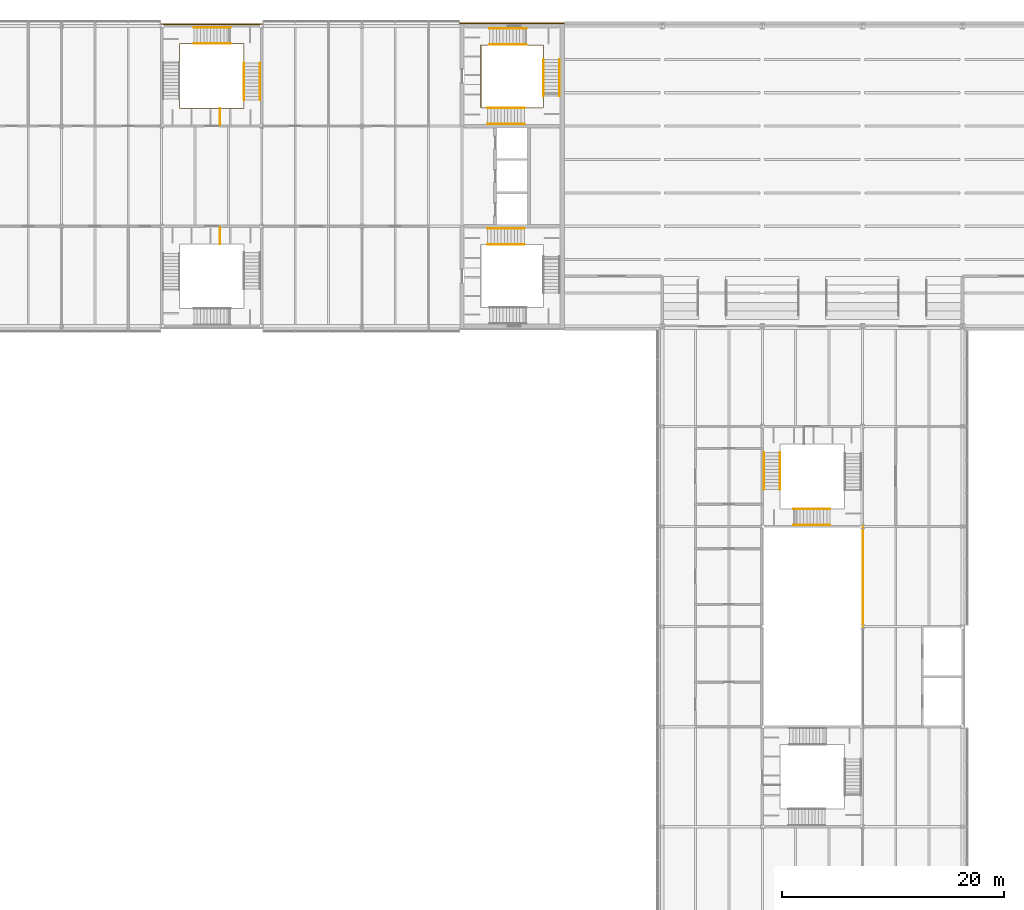
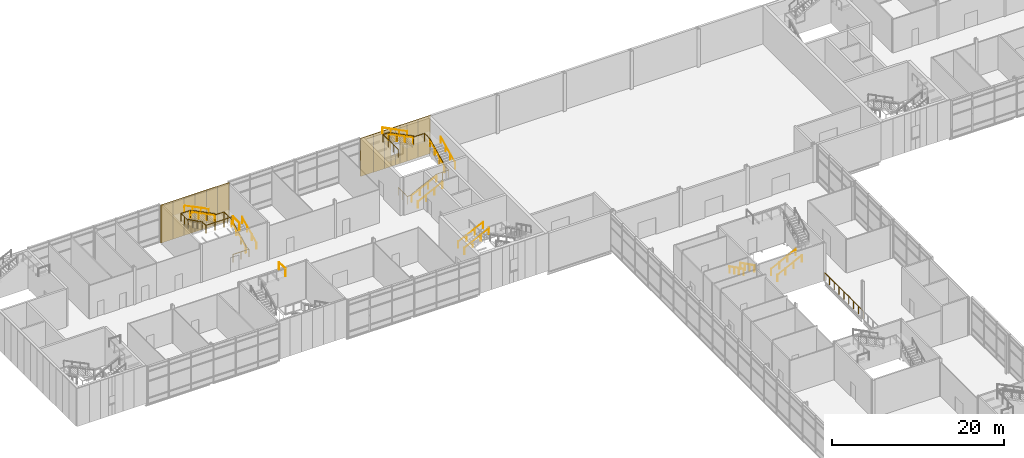
# One storey, part 48 of 52: 21 railings, 16 coverings.
"""IFC4 building model written with IfcOpenShell, lengths in metres."""

import ifcopenshell
import ifcopenshell.guid

model = None  # the IFC model being written
_history = None  # IfcOwnerHistory: only IFC2X3 demands one
_inside = {}  # id of a spatial element -> (the spatial element, [elements in it])
_under = {}  # id of a project, library or spatial element -> (it, [spatial elements below it])
_declared = {}  # id of a project -> (the project, [libraries it declares])
_typed = {}  # id of a type object -> (the type object, [elements of that type])
_made_of = {}  # id of a material, layer set ... -> (it, [elements and type objects made of it])


def new_model(schema):
    """Start an empty IFC model of exactly this schema.

    Asked for "IFC4X3", IfcOpenShell would pick the latest addendum, in which some entities
    have other attributes; the version numbers below select the first issue.
    IFC2X3 requires an IfcOwnerHistory on every rooted entity: one is made here for all.
    """
    global model, _history
    if schema == "IFC4X3":
        model = ifcopenshell.file(schema_version=(4, 3, 0, 0))
    else:
        model = ifcopenshell.file(schema=schema)
    _inside.clear()
    _under.clear()
    _declared.clear()
    _typed.clear()
    _made_of.clear()
    _history = None
    if model.schema == "IFC2X3":
        org = make("IfcOrganization", Name="unknown")
        user = make(
            "IfcPersonAndOrganization",
            ThePerson=make("IfcPerson", FamilyName="unknown"),
            TheOrganization=org,
        )
        app = make(
            "IfcApplication",
            ApplicationDeveloper=org,
            Version="unknown",
            ApplicationFullName="unknown",
            ApplicationIdentifier="unknown",
        )
        _history = make(
            "IfcOwnerHistory",
            OwningUser=user,
            OwningApplication=app,
            ChangeAction="ADDED",
            CreationDate=0,
        )
    return model


def make(cls, **values):
    """One entity of the class cls with the attributes given. An attribute that is None is left unset."""
    return model.create_entity(
        cls, **{name: value for name, value in values.items() if value is not None}
    )


def rooted(cls, **values):
    """An entity with a GlobalId (a new one), such as an element, a storey or a relation."""
    return make(cls, GlobalId=ifcopenshell.guid.new(), OwnerHistory=_history, **values)


def si_unit(unit_type, name, prefix=None):
    """IfcSIUnit, for example si_unit("LENGTHUNIT", "METRE", prefix="MILLI")."""
    return make("IfcSIUnit", UnitType=unit_type, Prefix=prefix, Name=name)


def assignment(units):
    """IfcUnitAssignment: the units of a project."""
    return None if units is None else make("IfcUnitAssignment", Units=units)


def point(xyz):
    """IfcCartesianPoint."""
    return None if xyz is None else make("IfcCartesianPoint", Coordinates=xyz)


def direction(xyz):
    """IfcDirection."""
    return None if xyz is None else make("IfcDirection", DirectionRatios=xyz)


def frame(location, z_axis=None, x_axis=None):
    """IfcAxis2Placement3D, a coordinate frame: its origin and axes. An axis left out is left unset."""
    return make(
        "IfcAxis2Placement3D",
        Location=point(location),
        Axis=direction(z_axis),
        RefDirection=direction(x_axis),
    )


def frame_2d(location, x_axis=None):
    """IfcAxis2Placement2D, a coordinate frame in the plane: its origin and x axis."""
    return make(
        "IfcAxis2Placement2D", Location=point(location), RefDirection=direction(x_axis)
    )


def origin():
    """The frame at (0, 0, 0) with its axes left unset."""
    return frame((0.0, 0.0, 0.0))


def origin_2d():
    """The frame at (0, 0) in the plane with its x axis left unset."""
    return frame_2d((0.0, 0.0))


def place(relative_to, where):
    """IfcLocalPlacement: puts the frame where relative to a parent placement (None: the world)."""
    return make(
        "IfcLocalPlacement", PlacementRelTo=relative_to, RelativePlacement=where
    )


def context(
    kind, dimensions, precision=None, world=None, true_north=None, identifier=None
):
    """IfcGeometricRepresentationContext, for example the 3D "Model" context."""
    return make(
        "IfcGeometricRepresentationContext",
        ContextIdentifier=identifier,
        ContextType=kind,
        CoordinateSpaceDimension=dimensions,
        Precision=precision,
        WorldCoordinateSystem=world,
        TrueNorth=true_north,
    )


def subcontext(parent, identifier, kind, view, scale=None):
    """IfcGeometricRepresentationSubContext, for example "Body" below "Model"."""
    return make(
        "IfcGeometricRepresentationSubContext",
        ContextIdentifier=identifier,
        ContextType=kind,
        ParentContext=parent,
        TargetScale=scale,
        TargetView=view,
    )


def project(units=None, contexts=None):
    """IfcProject with its units and contexts."""
    return rooted(
        "IfcProject",
        Name="project",
        RepresentationContexts=contexts,
        UnitsInContext=assignment(units),
    )


def spatial(cls, under=None, at=None, **own):
    """A site, building, storey or space (cls), placed at a placement, below another one or the project."""
    s = rooted(cls, ObjectPlacement=at, **own)
    if under is not None:
        _under.setdefault(under.id(), (under, []))[1].append(s)
    return s


def profile(cls, at=None, kind="AREA", **sizes):
    """A parametric profile (cls). Its sizes go by their IFC names, for example OverallWidth=200.0."""
    return make(cls, ProfileType=kind, Position=at, **sizes)


def rectangle(**sizes):
    """IfcRectangleProfileDef."""
    return profile("IfcRectangleProfileDef", **sizes)


def circle(**sizes):
    """IfcCircleProfileDef."""
    return profile("IfcCircleProfileDef", **sizes)


def extrude(swept, where, along, depth):
    """IfcExtrudedAreaSolid: the profile swept, set in the frame where, extruded along a direction by depth."""
    return make(
        "IfcExtrudedAreaSolid",
        SweptArea=swept,
        Position=where,
        ExtrudedDirection=direction(along),
        Depth=depth,
    )


def shape(context_of_items, identifier, shape_type, items):
    """IfcShapeRepresentation: the items that make up one representation, for example the "Body"."""
    return make(
        "IfcShapeRepresentation",
        ContextOfItems=context_of_items,
        RepresentationIdentifier=identifier,
        RepresentationType=shape_type,
        Items=items,
    )


def material(Name=None, Category=None):
    """IfcMaterial."""
    return make("IfcMaterial", Name=Name, Category=Category)


def layer(
    of_material, thickness, ventilated=None, Name=None, Category=None, Priority=None
):
    """IfcMaterialLayer: one layer of a wall or slab, of a material (None: an air gap)."""
    return make(
        "IfcMaterialLayer",
        Material=of_material,
        LayerThickness=thickness,
        IsVentilated=ventilated,
        Name=Name,
        Category=Category,
        Priority=Priority,
    )


def layer_set(layers, Name=None):
    """IfcMaterialLayerSet."""
    return make("IfcMaterialLayerSet", MaterialLayers=layers, LayerSetName=Name)


def made_of(thing, what):
    """Note that an element or type object is made of a material, layer set ...; save() writes the relation."""
    if what is not None:
        _made_of.setdefault(what.id(), (what, []))[1].append(thing)
    return thing


def type_object(cls, material=None, **own):
    """A type object (cls), such as IfcWallType, which elements share."""
    return made_of(rooted(cls, **own), material)


def element(
    cls,
    number,
    at=None,
    inside=None,
    cuts=None,
    type_object=None,
    material=None,
    context=None,
    identifier="Body",
    shape_type=None,
    held_by="IfcProductDefinitionShape",
    body=None,
    shapes=None,
    **own,
):
    """One element of the class cls, such as IfcWall. Its Tag is "e" and its number.

    at: its placement. inside: the storey or other place that contains it. cuts: it is an
    opening in that element (IfcRelVoidsElement). A single representation is given by context,
    identifier, shape_type and body (its items); several are given by shapes. held_by: the class
    of the entity that holds the representations. save() writes the other relations.
    """
    e = rooted(cls, Tag="e%d" % number, ObjectPlacement=at, **own)
    if body is not None:
        shapes = [shape(context, identifier, shape_type, body)]
    if shapes is not None:
        e.Representation = make(held_by, Representations=shapes)
    if inside is not None:
        _inside.setdefault(inside.id(), (inside, []))[1].append(e)
    if cuts is not None:
        rooted(
            "IfcRelVoidsElement", RelatingBuildingElement=cuts, RelatedOpeningElement=e
        )
    if type_object is not None:
        _typed.setdefault(type_object.id(), (type_object, []))[1].append(e)
    return made_of(e, material)


def aggregate(whole, parts):
    """IfcRelAggregates: a whole, such as a stair, and the parts it consists of."""
    return rooted("IfcRelAggregates", RelatingObject=whole, RelatedObjects=parts)


def save(model, path):
    """Write the relations noted so far, then the file.

    IfcRelAggregates (storeys below a building ...), IfcRelContainedInSpatialStructure (elements
    in a storey), IfcRelDefinesByType, IfcRelAssociatesMaterial and IfcRelDeclares: one each for
    every whole, place, type object, material and project.
    """
    for whole, parts in _under.values():
        aggregate(whole, parts)
    for where, things in _inside.values():
        rooted(
            "IfcRelContainedInSpatialStructure",
            RelatedElements=things,
            RelatingStructure=where,
        )
    for kind, things in _typed.values():
        rooted("IfcRelDefinesByType", RelatedObjects=things, RelatingType=kind)
    for what, things in _made_of.values():
        rooted("IfcRelAssociatesMaterial", RelatedObjects=things, RelatingMaterial=what)
    for by, libraries in _declared.values():
        rooted("IfcRelDeclares", RelatingContext=by, RelatedDefinitions=libraries)
    model.write(path)


model = new_model("IFC4")

# Units and contexts
model_context = context("Model", 3, precision=1e-05, world=origin(), true_north=direction((0.0, 1.0)))
body_context = subcontext(model_context, "Body", "Model", "MODEL_VIEW")
ifc_project = project(units=[si_unit("LENGTHUNIT", "METRE"), si_unit("AREAUNIT", "SQUARE_METRE"), si_unit("VOLUMEUNIT", "CUBIC_METRE"), si_unit("PLANEANGLEUNIT", "RADIAN"), si_unit("MASSUNIT", "GRAM", prefix="KILO")], contexts=[model_context])

# Site, building, storey
site_placement = place(None, origin())
site = spatial("IfcSite", under=ifc_project, at=site_placement, CompositionType="ELEMENT")
building_placement = place(site_placement, origin())
building = spatial("IfcBuilding", under=site, at=building_placement, Name="Azimuth Sports and Learning Centre", CompositionType="ELEMENT")
storey_placement = place(building_placement, frame((0.0, 0.0, 16.199951171875)))
storey = spatial("IfcBuildingStorey", under=building, at=storey_placement, Name="L03", CompositionType="ELEMENT", Elevation=16.199951171875)

# Coverings
ifc_material_1 = material(Name="Cladding panel")
ifc_layer = layer(ifc_material_1, 0.10009765625)
ifc_layer_set = layer_set([ifc_layer], Name="Cladding panel")
covering_type = type_object("IfcCoveringType", Name="Cladding panel 100", PredefinedType="CLADDING", material=ifc_layer_set)
covering_1_placement = place(storey_placement, frame((62.35009765625, 117.25, 0.0), z_axis=(0.0, 0.0, 1.0), x_axis=(-1.0, 0.0, 0.0)))
element("IfcCovering", 1, at=covering_1_placement, inside=storey, type_object=covering_type, Name="Cladding panel N-CORE W L03 1", PredefinedType="CLADDING", context=body_context, shape_type="SweptSolid", body=[
    extrude(rectangle(XDim=1.699951171875, YDim=0.10009765625, at=origin_2d()), origin(), (0.0, 0.0, 1.0), 5.39990234375),
])
covering_2_placement = place(storey_placement, frame((60.75, 117.25, 0.0), z_axis=(0.0, 0.0, 1.0), x_axis=(-1.0, 0.0, 0.0)))
element("IfcCovering", 2, at=covering_2_placement, inside=storey, type_object=covering_type, Name="Cladding panel N-CORE W L03 2", PredefinedType="CLADDING", context=body_context, shape_type="SweptSolid", body=[
    extrude(rectangle(XDim=1.5, YDim=0.10009765625, at=origin_2d()), origin(), (0.0, 0.0, 1.0), 5.39990234375),
])
covering_3_placement = place(storey_placement, frame((59.550048828125, 117.25, 0.0), z_axis=(0.0, 0.0, 1.0), x_axis=(-1.0, 0.0, 0.0)))
element("IfcCovering", 3, at=covering_3_placement, inside=storey, type_object=covering_type, Name="Cladding panel N-CORE W L03 3", PredefinedType="CLADDING", context=body_context, shape_type="SweptSolid", body=[
    extrude(rectangle(XDim=0.89990234375, YDim=0.10009765625, at=origin_2d()), origin(), (0.0, 0.0, 1.0), 5.39990234375),
])
covering_4_placement = place(storey_placement, frame((58.800048828125, 117.25, 0.0), z_axis=(0.0, 0.0, 1.0), x_axis=(-1.0, 0.0, 0.0)))
element("IfcCovering", 4, at=covering_4_placement, inside=storey, type_object=covering_type, Name="Cladding panel N-CORE W L03 4", PredefinedType="CLADDING", context=body_context, shape_type="SweptSolid", body=[
    extrude(rectangle(XDim=0.60009765625, YDim=0.10009765625, at=origin_2d()), origin(), (0.0, 0.0, 1.0), 1.5),
])
covering_5_placement = place(storey_placement, frame((58.800048828125, 117.25, 3.300048828125), z_axis=(0.0, 0.0, 1.0), x_axis=(-1.0, 0.0, 0.0)))
element("IfcCovering", 5, at=covering_5_placement, inside=storey, type_object=covering_type, Name="Cladding panel N-CORE W L03 5", PredefinedType="CLADDING", context=body_context, shape_type="SweptSolid", body=[
    extrude(rectangle(XDim=0.60009765625, YDim=0.10009765625, at=origin_2d()), origin(), (0.0, 0.0, 1.0), 2.10009765625),
])
covering_6_placement = place(storey_placement, frame((57.449951171875, 117.25, 0.0), z_axis=(0.0, 0.0, 1.0), x_axis=(-1.0, 0.0, 0.0)))
element("IfcCovering", 6, at=covering_6_placement, inside=storey, type_object=covering_type, Name="Cladding panel N-CORE W L03 6", PredefinedType="CLADDING", context=body_context, shape_type="SweptSolid", body=[
    extrude(rectangle(XDim=0.89990234375, YDim=0.10009765625, at=origin_2d()), origin(), (0.0, 0.0, 1.0), 5.39990234375),
])
covering_7_placement = place(storey_placement, frame((58.199951171875, 117.25, 0.0), z_axis=(0.0, 0.0, 1.0), x_axis=(-1.0, 0.0, 0.0)))
element("IfcCovering", 7, at=covering_7_placement, inside=storey, type_object=covering_type, Name="Cladding panel N-CORE W L03 7", PredefinedType="CLADDING", context=body_context, shape_type="SweptSolid", body=[
    extrude(rectangle(XDim=0.60009765625, YDim=0.10009765625, at=origin_2d()), origin(), (0.0, 0.0, 1.0), 1.5),
])
covering_8_placement = place(storey_placement, frame((58.199951171875, 117.25, 3.300048828125), z_axis=(0.0, 0.0, 1.0), x_axis=(-1.0, 0.0, 0.0)))
element("IfcCovering", 8, at=covering_8_placement, inside=storey, type_object=covering_type, Name="Cladding panel N-CORE W L03 8", PredefinedType="CLADDING", context=body_context, shape_type="SweptSolid", body=[
    extrude(rectangle(XDim=0.60009765625, YDim=0.10009765625, at=origin_2d()), origin(), (0.0, 0.0, 1.0), 2.10009765625),
])
covering_9_placement = place(storey_placement, frame((56.25, 117.25, 0.0), z_axis=(0.0, 0.0, 1.0), x_axis=(-1.0, 0.0, 0.0)))
element("IfcCovering", 9, at=covering_9_placement, inside=storey, type_object=covering_type, Name="Cladding panel N-CORE W L03 9", PredefinedType="CLADDING", context=body_context, shape_type="SweptSolid", body=[
    extrude(rectangle(XDim=1.5, YDim=0.10009765625, at=origin_2d()), origin(), (0.0, 0.0, 1.0), 5.39990234375),
])
covering_10_placement = place(storey_placement, frame((54.64990234375, 117.25, 0.0), z_axis=(0.0, 0.0, 1.0), x_axis=(-1.0, 0.0, 0.0)))
element("IfcCovering", 10, at=covering_10_placement, inside=storey, type_object=covering_type, Name="Cladding panel N-CORE W L03 10", PredefinedType="CLADDING", context=body_context, shape_type="SweptSolid", body=[
    extrude(rectangle(XDim=1.699951171875, YDim=0.10009765625, at=origin_2d()), origin(), (0.0, 0.0, 1.0), 5.39990234375),
])
covering_11_placement = place(storey_placement, frame((35.300048828125, 117.14990234375, 0.0), z_axis=(0.0, 0.0, 1.0), x_axis=(-1.0, 0.0, 0.0)))
element("IfcCovering", 11, at=covering_11_placement, inside=storey, type_object=covering_type, Name="Cladding panel N-WM2 L03 1", PredefinedType="CLADDING", context=body_context, shape_type="SweptSolid", body=[
    extrude(rectangle(XDim=1.60009765625, YDim=0.10009765625, at=origin_2d()), origin(), (0.0, 0.0, 1.0), 5.39990234375),
])
for number, where, z_axis, x_axis, name in (
    (12, (33.75, 117.14990234375, 0.0), (0.0, 0.0, 1.0), (-1.0, 0.0, 0.0), "Cladding panel N-WM2 L03 2"),
    (13, (32.25, 117.14990234375, 0.0), (0.0, 0.0, 1.0), (-1.0, 0.0, 0.0), "Cladding panel N-WM2 L03 3"),
    (14, (30.75, 117.14990234375, 0.0), (0.0, 0.0, 1.0), (-1.0, 0.0, 0.0), "Cladding panel N-WM2 L03 4"),
    (15, (29.25, 117.14990234375, 0.0), (0.0, 0.0, 1.0), (-1.0, 0.0, 0.0), "Cladding panel N-WM2 L03 5"),
):
    element("IfcCovering", number, at=place(storey_placement, frame(where, z_axis=z_axis, x_axis=x_axis)), inside=storey, type_object=covering_type, Name=name, PredefinedType="CLADDING", context=body_context, shape_type="SweptSolid", body=[
        extrude(rectangle(XDim=1.5, YDim=0.10009765625, at=origin_2d()), origin(), (0.0, 0.0, 1.0), 5.39990234375),
    ])
covering_12_placement = place(storey_placement, frame((27.699951171875, 117.14990234375, 0.0), z_axis=(0.0, 0.0, 1.0), x_axis=(-1.0, 0.0, 0.0)))
element("IfcCovering", 16, at=covering_12_placement, inside=storey, type_object=covering_type, Name="Cladding panel N-WM2 L03 6", PredefinedType="CLADDING", context=body_context, shape_type="SweptSolid", body=[
    extrude(rectangle(XDim=1.60009765625, YDim=0.10009765625, at=origin_2d()), origin(), (0.0, 0.0, 1.0), 5.39990234375),
])

# Railings
ifc_material_2 = material(Name="Steel balustrade", Category="steel")
railing_type_1 = type_object("IfcRailingType", Name="Guard 1100", PredefinedType="GUARDRAIL", material=ifc_material_2)
railing_1_placement = place(storey_placement, frame((90.070068359375, 63.0, 0.0)))
element("IfcRailing", 17, at=railing_1_placement, inside=storey, type_object=railing_type_1, Name="Atrium guard", PredefinedType="GUARDRAIL", context=body_context, shape_type="SweptSolid", body=[
    extrude(circle(Radius=0.02392578125, at=origin_2d()), frame((0.0, 0.0, 1.076171875), z_axis=(0.0, 1.0, 0.0), x_axis=(-1.0, 0.0, 0.0)), (0.0, 0.0, 1.0), 9.0),
    extrude(circle(Radius=0.02099609375, at=origin_2d()), origin(), (0.0, 0.0, 1.0), 1.052001953125),
    extrude(circle(Radius=0.02099609375, at=origin_2d()), frame((0.0, 1.125, 0.0)), (0.0, 0.0, 1.0), 1.052001953125),
    extrude(circle(Radius=0.02099609375, at=origin_2d()), frame((0.0, 2.25, 0.0)), (0.0, 0.0, 1.0), 1.052001953125),
    extrude(circle(Radius=0.02099609375, at=origin_2d()), frame((0.0, 3.375, 0.0)), (0.0, 0.0, 1.0), 1.052001953125),
    extrude(circle(Radius=0.02099609375, at=origin_2d()), frame((0.0, 4.5, 0.0)), (0.0, 0.0, 1.0), 1.052001953125),
    extrude(circle(Radius=0.02099609375, at=origin_2d()), frame((0.0, 5.625, 0.0)), (0.0, 0.0, 1.0), 1.052001953125),
    extrude(circle(Radius=0.02099609375, at=origin_2d()), frame((0.0, 6.75, 0.0)), (0.0, 0.0, 1.0), 1.052001953125),
    extrude(circle(Radius=0.02099609375, at=origin_2d()), frame((0.0, 7.875, 0.0)), (0.0, 0.0, 1.0), 1.052001953125),
    extrude(circle(Radius=0.02099609375, at=origin_2d()), frame((0.0, 9.0, 0.0)), (0.0, 0.0, 1.0), 1.052001953125),
])
ifc_material_3 = material(Name="Stainless steel", Category="steel")
railing_type_2 = type_object("IfcRailingType", Name="Stair guard 1100", PredefinedType="GUARDRAIL", material=ifc_material_3)
railing_2_placement = place(storey_placement, frame((55.7099609375, 111.75, 0.0)))
element("IfcRailing", 18, at=railing_2_placement, inside=storey, type_object=railing_type_2, Name="Guard W2 L03 well", PredefinedType="GUARDRAIL", context=body_context, shape_type="SweptSolid", body=[
    extrude(circle(Radius=0.02392578125, at=origin_2d()), frame((0.0, 0.0, 1.076171875), z_axis=(0.0, -1.0, 0.0), x_axis=(1.0, 0.0, 0.0)), (0.0, 0.0, 1.0), 2.090087890625),
    extrude(circle(Radius=0.02392578125, at=origin_2d()), frame((0.0, -2.090087890625, 1.076171875), z_axis=(1.0, 0.0, 0.0), x_axis=(0.0, 1.0, 0.0)), (0.0, 0.0, 1.0), 0.60009765625),
    extrude(circle(Radius=0.02392578125, at=origin_2d()), frame((0.60009765625, -2.090087890625, 1.076171875), z_axis=(0.0, 0.0, 1.0), x_axis=(1.0, 0.0, 0.0)), (0.0, 0.0, 1.0), 0.150146484375),
    extrude(circle(Radius=0.02392578125, at=origin_2d()), frame((0.60009765625, -2.090087890625, 1.22607421875), z_axis=(0.894440424912, 0.0, 0.447187126696), x_axis=(0.0, 1.0, 0.0)), (0.0, 0.0, 1.0), 3.689453125),
    extrude(circle(Radius=0.02392578125, at=origin_2d()), frame((3.900146484375, -2.090087890625, 2.8759765625), z_axis=(1.0, 0.0, 0.0), x_axis=(0.0, 1.0, 0.0)), (0.0, 0.0, 1.0), 1.679931640625),
    extrude(circle(Radius=0.02392578125, at=origin_2d()), frame((5.580078125, -2.090087890625, 2.8759765625), z_axis=(0.0, 1.0, 0.0), x_axis=(-1.0, 0.0, 0.0)), (0.0, 0.0, 1.0), 1.050048828125),
    extrude(circle(Radius=0.02392578125, at=origin_2d()), frame((5.580078125, -1.0400390625, 2.8759765625), z_axis=(0.0, 0.0, 1.0), x_axis=(1.0, 0.0, 0.0)), (0.0, 0.0, 1.0), 0.14990234375),
    extrude(circle(Radius=0.02392578125, at=origin_2d()), frame((5.580078125, -1.0400390625, 3.02587890625), z_axis=(0.0, 0.894413956696, 0.447240063129), x_axis=(-1.0, 0.0, 0.0)), (0.0, 0.0, 1.0), 3.689697265625),
    extrude(circle(Radius=0.02392578125, at=origin_2d()), frame((5.580078125, 2.260009765625, 4.67626953125), z_axis=(0.0, 1.0, 0.0), x_axis=(-1.0, 0.0, 0.0)), (0.0, 0.0, 1.0), 1.280029296875),
    extrude(circle(Radius=0.02392578125, at=origin_2d()), frame((5.580078125, 3.5400390625, 4.67626953125), z_axis=(-1.0, 0.0, 0.0), x_axis=(0.0, -1.0, 0.0)), (0.0, 0.0, 1.0), 1.5),
    extrude(circle(Radius=0.02392578125, at=origin_2d()), frame((4.080078125, 3.5400390625, 4.67626953125), z_axis=(0.0, 0.0, 1.0), x_axis=(1.0, 0.0, 0.0)), (0.0, 0.0, 1.0), 0.14990234375),
    extrude(circle(Radius=0.02392578125, at=origin_2d()), frame((4.080078125, 3.5400390625, 4.826171875), z_axis=(-0.894413956696, 0.0, 0.447240063129), x_axis=(0.0, -1.0, 0.0)), (0.0, 0.0, 1.0), 3.689697265625),
    extrude(circle(Radius=0.02392578125, at=origin_2d()), frame((0.780029296875, 3.5400390625, 6.47607421875), z_axis=(-1.0, 0.0, 0.0), x_axis=(0.0, -1.0, 0.0)), (0.0, 0.0, 1.0), 0.780029296875),
    extrude(circle(Radius=0.02392578125, at=origin_2d()), frame((0.0, 3.5400390625, 6.47607421875), z_axis=(0.0, -1.0, 0.0), x_axis=(1.0, 0.0, 0.0)), (0.0, 0.0, 1.0), 3.5400390625),
    extrude(circle(Radius=0.01611328125, at=origin_2d()), origin(), (0.0, 0.0, 1.0), 1.052001953125),
    extrude(circle(Radius=0.01611328125, at=origin_2d()), frame((0.0, -1.044921875, 0.0)), (0.0, 0.0, 1.0), 1.052001953125),
    extrude(circle(Radius=0.01611328125, at=origin_2d()), frame((0.0, -2.090087890625, 0.0)), (0.0, 0.0, 1.0), 1.052001953125),
    extrude(circle(Radius=0.01611328125, at=origin_2d()), frame((0.60009765625, -2.090087890625, 0.0)), (0.0, 0.0, 1.0), 1.052001953125),
    extrude(circle(Radius=0.01611328125, at=origin_2d()), frame((0.60009765625, -2.090087890625, 0.150146484375)), (0.0, 0.0, 1.0), 1.052001953125),
    extrude(circle(Radius=0.01611328125, at=origin_2d()), frame((1.7001953125, -2.090087890625, 0.7001953125)), (0.0, 0.0, 1.0), 1.052001953125),
    extrude(circle(Radius=0.01611328125, at=origin_2d()), frame((2.800048828125, -2.090087890625, 1.25)), (0.0, 0.0, 1.0), 1.052001953125),
    extrude(circle(Radius=0.01611328125, at=origin_2d()), frame((3.900146484375, -2.090087890625, 1.800048828125)), (0.0, 0.0, 1.0), 1.052001953125),
    extrude(circle(Radius=0.01611328125, at=origin_2d()), frame((4.740234375, -2.090087890625, 1.800048828125)), (0.0, 0.0, 1.0), 1.052001953125),
    extrude(circle(Radius=0.01611328125, at=origin_2d()), frame((5.580078125, -2.090087890625, 1.800048828125)), (0.0, 0.0, 1.0), 1.052001953125),
    extrude(circle(Radius=0.01611328125, at=origin_2d()), frame((5.580078125, -1.0400390625, 1.800048828125)), (0.0, 0.0, 1.0), 1.052001953125),
    extrude(circle(Radius=0.01611328125, at=origin_2d()), frame((5.580078125, -1.0400390625, 1.949951171875)), (0.0, 0.0, 1.0), 1.052001953125),
    extrude(circle(Radius=0.01611328125, at=origin_2d()), frame((5.580078125, 0.06005859375, 2.5)), (0.0, 0.0, 1.0), 1.052001953125),
    extrude(circle(Radius=0.01611328125, at=origin_2d()), frame((5.580078125, 1.159912109375, 3.050048828125)), (0.0, 0.0, 1.0), 1.052001953125),
    extrude(circle(Radius=0.01611328125, at=origin_2d()), frame((5.580078125, 2.260009765625, 3.60009765625)), (0.0, 0.0, 1.0), 1.052001953125),
    extrude(circle(Radius=0.01611328125, at=origin_2d()), frame((5.580078125, 3.5400390625, 3.60009765625)), (0.0, 0.0, 1.0), 1.052001953125),
    extrude(circle(Radius=0.01611328125, at=origin_2d()), frame((4.080078125, 3.5400390625, 3.60009765625)), (0.0, 0.0, 1.0), 1.052001953125),
    extrude(circle(Radius=0.01611328125, at=origin_2d()), frame((4.080078125, 3.5400390625, 3.75)), (0.0, 0.0, 1.0), 1.052001953125),
    extrude(circle(Radius=0.01611328125, at=origin_2d()), frame((2.97998046875, 3.5400390625, 4.300048828125)), (0.0, 0.0, 1.0), 1.052001953125),
    extrude(circle(Radius=0.01611328125, at=origin_2d()), frame((1.880126953125, 3.5400390625, 4.85009765625)), (0.0, 0.0, 1.0), 1.052001953125),
    extrude(circle(Radius=0.01611328125, at=origin_2d()), frame((0.780029296875, 3.5400390625, 5.400146484375)), (0.0, 0.0, 1.0), 1.052001953125),
    extrude(circle(Radius=0.01611328125, at=origin_2d()), frame((0.0, 3.5400390625, 5.400146484375)), (0.0, 0.0, 1.0), 1.052001953125),
    extrude(circle(Radius=0.01611328125, at=origin_2d()), frame((0.0, 2.360107421875, 5.400146484375)), (0.0, 0.0, 1.0), 1.052001953125),
    extrude(circle(Radius=0.01611328125, at=origin_2d()), frame((0.0, 1.179931640625, 5.400146484375)), (0.0, 0.0, 1.0), 1.052001953125),
    extrude(circle(Radius=0.01611328125, at=origin_2d()), frame((0.0, 0.0, 5.400146484375)), (0.0, 0.0, 1.0), 1.052001953125),
])
railing_3_placement = place(storey_placement, frame((32.25, 98.889892578125, 5.400146484375)))
element("IfcRailing", 19, at=railing_3_placement, inside=storey, type_object=railing_type_2, Name="Guard WM1 L03 top landing end", PredefinedType="GUARDRAIL", context=body_context, shape_type="SweptSolid", body=[
    extrude(circle(Radius=0.02392578125, at=origin_2d()), frame((0.0, 0.0, 1.076171875), z_axis=(0.0, -1.0, 0.0), x_axis=(1.0, 0.0, 0.0)), (0.0, 0.0, 1.0), 1.5),
    extrude(circle(Radius=0.01611328125, at=origin_2d()), origin(), (0.0, 0.0, 1.0), 1.052001953125),
    extrude(circle(Radius=0.01611328125, at=origin_2d()), frame((0.0, -1.5, 0.0)), (0.0, 0.0, 1.0), 1.052001953125),
])
railing_4_placement = place(storey_placement, frame((32.25, 109.610107421875, 0.0)))
element("IfcRailing", 20, at=railing_4_placement, inside=storey, type_object=railing_type_2, Name="Guard WM2 L03 well", PredefinedType="GUARDRAIL", context=body_context, shape_type="SweptSolid", body=[
    extrude(circle(Radius=0.02392578125, at=origin_2d()), frame((0.0, 0.0, 1.076171875), z_axis=(1.0, 0.0, 0.0), x_axis=(0.0, 1.0, 0.0)), (0.0, 0.0, 1.0), 2.139892578125),
    extrude(circle(Radius=0.02392578125, at=origin_2d()), frame((2.139892578125, 0.0, 1.076171875), z_axis=(0.0, 1.0, 0.0), x_axis=(-1.0, 0.0, 0.0)), (0.0, 0.0, 1.0), 0.75),
    extrude(circle(Radius=0.02392578125, at=origin_2d()), frame((2.139892578125, 0.75, 1.076171875), z_axis=(0.0, 0.0, 1.0), x_axis=(1.0, 0.0, 0.0)), (0.0, 0.0, 1.0), 0.150146484375),
    extrude(circle(Radius=0.02392578125, at=origin_2d()), frame((2.139892578125, 0.75, 1.22607421875), z_axis=(0.0, 0.894427191, 0.4472135955), x_axis=(-1.0, 0.0, 0.0)), (0.0, 0.0, 1.0), 3.689208984375),
    extrude(circle(Radius=0.02392578125, at=origin_2d()), frame((2.139892578125, 4.0498046875, 2.8759765625), z_axis=(0.0, 1.0, 0.0), x_axis=(-1.0, 0.0, 0.0)), (0.0, 0.0, 1.0), 1.72998046875),
    extrude(circle(Radius=0.02392578125, at=origin_2d()), frame((2.139892578125, 5.77978515625, 2.8759765625), z_axis=(-1.0, 0.0, 0.0), x_axis=(0.0, -1.0, 0.0)), (0.0, 0.0, 1.0), 1.199951171875),
    extrude(circle(Radius=0.02392578125, at=origin_2d()), frame((0.93994140625, 5.77978515625, 2.8759765625), z_axis=(0.0, 0.0, 1.0), x_axis=(1.0, 0.0, 0.0)), (0.0, 0.0, 1.0), 0.14990234375),
    extrude(circle(Radius=0.02392578125, at=origin_2d()), frame((0.93994140625, 5.77978515625, 3.02587890625), z_axis=(-0.894413956696, 0.0, 0.447240063129), x_axis=(0.0, -1.0, 0.0)), (0.0, 0.0, 1.0), 3.689697265625),
    extrude(circle(Radius=0.02392578125, at=origin_2d()), frame((-2.360107421875, 5.77978515625, 4.67626953125), z_axis=(-1.0, 0.0, 0.0), x_axis=(0.0, -1.0, 0.0)), (0.0, 0.0, 1.0), 1.27978515625),
    extrude(circle(Radius=0.02392578125, at=origin_2d()), frame((-3.639892578125, 5.77978515625, 4.67626953125), z_axis=(0.0, -1.0, 0.0), x_axis=(1.0, 0.0, 0.0)), (0.0, 0.0, 1.0), 1.64990234375),
    extrude(circle(Radius=0.02392578125, at=origin_2d()), frame((-3.639892578125, 4.1298828125, 4.67626953125), z_axis=(0.0, 0.0, 1.0), x_axis=(1.0, 0.0, 0.0)), (0.0, 0.0, 1.0), 0.14990234375),
    extrude(circle(Radius=0.02392578125, at=origin_2d()), frame((-3.639892578125, 4.1298828125, 4.826171875), z_axis=(0.0, -0.894413956696, 0.447240063129), x_axis=(1.0, 0.0, 0.0)), (0.0, 0.0, 1.0), 3.689697265625),
    extrude(circle(Radius=0.02392578125, at=origin_2d()), frame((-3.639892578125, 0.829833984375, 6.47607421875), z_axis=(0.0, -1.0, 0.0), x_axis=(1.0, 0.0, 0.0)), (0.0, 0.0, 1.0), 0.829833984375),
    extrude(circle(Radius=0.02392578125, at=origin_2d()), frame((-3.639892578125, 0.0, 6.47607421875), z_axis=(1.0, 0.0, 0.0), x_axis=(0.0, 1.0, 0.0)), (0.0, 0.0, 1.0), 3.639892578125),
    extrude(circle(Radius=0.01611328125, at=origin_2d()), origin(), (0.0, 0.0, 1.0), 1.052001953125),
    extrude(circle(Radius=0.01611328125, at=origin_2d()), frame((1.06982421875, 0.0, 0.0)), (0.0, 0.0, 1.0), 1.052001953125),
    extrude(circle(Radius=0.01611328125, at=origin_2d()), frame((2.139892578125, 0.0, 0.0)), (0.0, 0.0, 1.0), 1.052001953125),
    extrude(circle(Radius=0.01611328125, at=origin_2d()), frame((2.139892578125, 0.75, 0.0)), (0.0, 0.0, 1.0), 1.052001953125),
    extrude(circle(Radius=0.01611328125, at=origin_2d()), frame((2.139892578125, 0.75, 0.150146484375)), (0.0, 0.0, 1.0), 1.052001953125),
    extrude(circle(Radius=0.01611328125, at=origin_2d()), frame((2.139892578125, 1.849853515625, 0.7001953125)), (0.0, 0.0, 1.0), 1.052001953125),
    extrude(circle(Radius=0.01611328125, at=origin_2d()), frame((2.139892578125, 2.949951171875, 1.25)), (0.0, 0.0, 1.0), 1.052001953125),
    extrude(circle(Radius=0.01611328125, at=origin_2d()), frame((2.139892578125, 4.0498046875, 1.800048828125)), (0.0, 0.0, 1.0), 1.052001953125),
    extrude(circle(Radius=0.01611328125, at=origin_2d()), frame((2.139892578125, 4.914794921875, 1.800048828125)), (0.0, 0.0, 1.0), 1.052001953125),
    extrude(circle(Radius=0.01611328125, at=origin_2d()), frame((2.139892578125, 5.77978515625, 1.800048828125)), (0.0, 0.0, 1.0), 1.052001953125),
    extrude(circle(Radius=0.01611328125, at=origin_2d()), frame((0.93994140625, 5.77978515625, 1.800048828125)), (0.0, 0.0, 1.0), 1.052001953125),
    extrude(circle(Radius=0.01611328125, at=origin_2d()), frame((0.93994140625, 5.77978515625, 1.949951171875)), (0.0, 0.0, 1.0), 1.052001953125),
    extrude(circle(Radius=0.01611328125, at=origin_2d()), frame((-0.16015625, 5.77978515625, 2.5)), (0.0, 0.0, 1.0), 1.052001953125),
    extrude(circle(Radius=0.01611328125, at=origin_2d()), frame((-1.260009765625, 5.77978515625, 3.050048828125)), (0.0, 0.0, 1.0), 1.052001953125),
    extrude(circle(Radius=0.01611328125, at=origin_2d()), frame((-2.360107421875, 5.77978515625, 3.60009765625)), (0.0, 0.0, 1.0), 1.052001953125),
    extrude(circle(Radius=0.01611328125, at=origin_2d()), frame((-3.639892578125, 5.77978515625, 3.60009765625)), (0.0, 0.0, 1.0), 1.052001953125),
    extrude(circle(Radius=0.01611328125, at=origin_2d()), frame((-3.639892578125, 4.954833984375, 3.60009765625)), (0.0, 0.0, 1.0), 1.052001953125),
    extrude(circle(Radius=0.01611328125, at=origin_2d()), frame((-3.639892578125, 4.1298828125, 3.60009765625)), (0.0, 0.0, 1.0), 1.052001953125),
    extrude(circle(Radius=0.01611328125, at=origin_2d()), frame((-3.639892578125, 4.1298828125, 3.75)), (0.0, 0.0, 1.0), 1.052001953125),
    extrude(circle(Radius=0.01611328125, at=origin_2d()), frame((-3.639892578125, 3.02978515625, 4.300048828125)), (0.0, 0.0, 1.0), 1.052001953125),
    extrude(circle(Radius=0.01611328125, at=origin_2d()), frame((-3.639892578125, 1.929931640625, 4.85009765625)), (0.0, 0.0, 1.0), 1.052001953125),
    extrude(circle(Radius=0.01611328125, at=origin_2d()), frame((-3.639892578125, 0.829833984375, 5.400146484375)), (0.0, 0.0, 1.0), 1.052001953125),
    extrude(circle(Radius=0.01611328125, at=origin_2d()), frame((-3.639892578125, 0.0, 5.400146484375)), (0.0, 0.0, 1.0), 1.052001953125),
    extrude(circle(Radius=0.01611328125, at=origin_2d()), frame((-2.426513671875, 0.0, 5.400146484375)), (0.0, 0.0, 1.0), 1.052001953125),
    extrude(circle(Radius=0.01611328125, at=origin_2d()), frame((-1.21337890625, 0.0, 5.400146484375)), (0.0, 0.0, 1.0), 1.052001953125),
    extrude(circle(Radius=0.01611328125, at=origin_2d()), frame((0.0, 0.0, 5.400146484375)), (0.0, 0.0, 1.0), 1.052001953125),
])
railing_5_placement = place(storey_placement, frame((32.25, 109.610107421875, 5.400146484375)))
element("IfcRailing", 21, at=railing_5_placement, inside=storey, type_object=railing_type_2, Name="Guard WM2 L03 top landing end", PredefinedType="GUARDRAIL", context=body_context, shape_type="SweptSolid", body=[
    extrude(circle(Radius=0.02392578125, at=origin_2d()), frame((0.0, 0.0, 1.076171875), z_axis=(0.0, -1.0, 0.0), x_axis=(1.0, 0.0, 0.0)), (0.0, 0.0, 1.0), 1.5),
    extrude(circle(Radius=0.01611328125, at=origin_2d()), origin(), (0.0, 0.0, 1.0), 1.052001953125),
    extrude(circle(Radius=0.01611328125, at=origin_2d()), frame((0.0, -1.5, 0.0)), (0.0, 0.0, 1.0), 1.052001953125),
])
ifc_material_4 = material(Name="Stainless steel", Category="steel")
railing_type_3 = type_object("IfcRailingType", Name="Stair handrail 42", PredefinedType="HANDRAIL", material=ifc_material_4)
for number, where, name in (
    (22, (56.31005859375, 97.3701171875, 0.150146484375), "Handrail W1 L03 flight 1 inner"),
    (23, (56.31005859375, 98.81005859375, 0.150146484375), "Handrail W1 L03 flight 1 outer"),
    (24, (56.31005859375, 109.6298828125, 0.150146484375), "Handrail W2 L03 flight 1 inner"),
    (25, (56.31005859375, 108.18994140625, 0.150146484375), "Handrail W2 L03 flight 1 outer"),
):
    element("IfcRailing", number, at=place(storey_placement, frame(where)), inside=storey, type_object=railing_type_3, Name=name, PredefinedType="HANDRAIL", context=body_context, shape_type="SweptSolid", body=[
        extrude(circle(Radius=0.02099609375, at=origin_2d()), frame((0.0, 0.0, 0.87890625), z_axis=(0.894440424912, 0.0, 0.447187126696), x_axis=(0.0, 1.0, 0.0)), (0.0, 0.0, 1.0), 3.689453125),
        extrude(circle(Radius=0.01611328125, at=origin_2d()), origin(), (0.0, 0.0, 1.0), 0.85791015625),
        extrude(circle(Radius=0.01611328125, at=origin_2d()), frame((1.10009765625, 0.0, 0.550048828125)), (0.0, 0.0, 1.0), 0.85791015625),
        extrude(circle(Radius=0.01611328125, at=origin_2d()), frame((2.199951171875, 0.0, 1.099853515625)), (0.0, 0.0, 1.0), 0.85791015625),
        extrude(circle(Radius=0.01611328125, at=origin_2d()), frame((3.300048828125, 0.0, 1.64990234375)), (0.0, 0.0, 1.0), 0.85791015625),
    ])
for number, where, name in (
    (26, (61.320068359375, 110.7099609375, 1.949951171875), "Handrail W2 L03 flight 2 inner"),
    (27, (62.760009765625, 110.7099609375, 1.949951171875), "Handrail W2 L03 flight 2 outer"),
):
    element("IfcRailing", number, at=place(storey_placement, frame(where)), inside=storey, type_object=railing_type_3, Name=name, PredefinedType="HANDRAIL", context=body_context, shape_type="SweptSolid", body=[
        extrude(circle(Radius=0.02099609375, at=origin_2d()), frame((0.0, 0.0, 0.87890625), z_axis=(0.0, 0.894413956696, 0.447240063129), x_axis=(-1.0, 0.0, 0.0)), (0.0, 0.0, 1.0), 3.689697265625),
        extrude(circle(Radius=0.01611328125, at=origin_2d()), origin(), (0.0, 0.0, 1.0), 0.85791015625),
        extrude(circle(Radius=0.01611328125, at=origin_2d()), frame((0.0, 1.10009765625, 0.550048828125)), (0.0, 0.0, 1.0), 0.85791015625),
        extrude(circle(Radius=0.01611328125, at=origin_2d()), frame((0.0, 2.199951171875, 1.10009765625)), (0.0, 0.0, 1.0), 0.85791015625),
        extrude(circle(Radius=0.01611328125, at=origin_2d()), frame((0.0, 3.300048828125, 1.650146484375)), (0.0, 0.0, 1.0), 0.85791015625),
    ])
for number, where, name in (
    (28, (59.7900390625, 115.320068359375, 3.75), "Handrail W2 L03 flight 3 inner"),
    (29, (59.7900390625, 116.760009765625, 3.75), "Handrail W2 L03 flight 3 outer"),
):
    element("IfcRailing", number, at=place(storey_placement, frame(where)), inside=storey, type_object=railing_type_3, Name=name, PredefinedType="HANDRAIL", context=body_context, shape_type="SweptSolid", body=[
        extrude(circle(Radius=0.02099609375, at=origin_2d()), frame((0.0, 0.0, 0.87890625), z_axis=(-0.894413956696, 0.0, 0.447240063129), x_axis=(0.0, -1.0, 0.0)), (0.0, 0.0, 1.0), 3.689697265625),
        extrude(circle(Radius=0.01611328125, at=origin_2d()), origin(), (0.0, 0.0, 1.0), 0.85791015625),
        extrude(circle(Radius=0.01611328125, at=origin_2d()), frame((-1.10009765625, 0.0, 0.550048828125)), (0.0, 0.0, 1.0), 0.85791015625),
        extrude(circle(Radius=0.01611328125, at=origin_2d()), frame((-2.199951171875, 0.0, 1.10009765625)), (0.0, 0.0, 1.0), 0.85791015625),
        extrude(circle(Radius=0.01611328125, at=origin_2d()), frame((-3.300048828125, 0.0, 1.650146484375)), (0.0, 0.0, 1.0), 0.85791015625),
    ])
for number, where, name in (
    (30, (34.419921875, 110.360107421875, 0.150146484375), "Handrail WM2 L03 flight 1 inner"),
    (31, (35.860107421875, 110.360107421875, 0.150146484375), "Handrail WM2 L03 flight 1 outer"),
):
    element("IfcRailing", number, at=place(storey_placement, frame(where)), inside=storey, type_object=railing_type_3, Name=name, PredefinedType="HANDRAIL", context=body_context, shape_type="SweptSolid", body=[
        extrude(circle(Radius=0.02099609375, at=origin_2d()), frame((0.0, 0.0, 0.87890625), z_axis=(0.0, 0.894427191, 0.4472135955), x_axis=(-1.0, 0.0, 0.0)), (0.0, 0.0, 1.0), 3.689208984375),
        extrude(circle(Radius=0.01611328125, at=origin_2d()), origin(), (0.0, 0.0, 1.0), 0.85791015625),
        extrude(circle(Radius=0.01611328125, at=origin_2d()), frame((0.0, 1.099853515625, 0.550048828125)), (0.0, 0.0, 1.0), 0.85791015625),
        extrude(circle(Radius=0.01611328125, at=origin_2d()), frame((0.0, 2.199951171875, 1.099853515625)), (0.0, 0.0, 1.0), 0.85791015625),
        extrude(circle(Radius=0.01611328125, at=origin_2d()), frame((0.0, 3.2998046875, 1.64990234375)), (0.0, 0.0, 1.0), 0.85791015625),
    ])
for number, where, name in (
    (32, (33.18994140625, 115.419921875, 1.949951171875), "Handrail WM2 L03 flight 2 inner"),
    (33, (33.18994140625, 116.860107421875, 1.949951171875), "Handrail WM2 L03 flight 2 outer"),
):
    element("IfcRailing", number, at=place(storey_placement, frame(where)), inside=storey, type_object=railing_type_3, Name=name, PredefinedType="HANDRAIL", context=body_context, shape_type="SweptSolid", body=[
        extrude(circle(Radius=0.02099609375, at=origin_2d()), frame((0.0, 0.0, 0.87890625), z_axis=(-0.894413956696, 0.0, 0.447240063129), x_axis=(0.0, -1.0, 0.0)), (0.0, 0.0, 1.0), 3.689697265625),
        extrude(circle(Radius=0.01611328125, at=origin_2d()), origin(), (0.0, 0.0, 1.0), 0.85791015625),
        extrude(circle(Radius=0.01611328125, at=origin_2d()), frame((-1.10009765625, 0.0, 0.550048828125)), (0.0, 0.0, 1.0), 0.85791015625),
        extrude(circle(Radius=0.01611328125, at=origin_2d()), frame((-2.199951171875, 0.0, 1.10009765625)), (0.0, 0.0, 1.0), 0.85791015625),
        extrude(circle(Radius=0.01611328125, at=origin_2d()), frame((-3.300048828125, 0.0, 1.650146484375)), (0.0, 0.0, 1.0), 0.85791015625),
    ])
for number, where, name in (
    (34, (82.580078125, 78.639892578125, 0.150146484375), "Handrail STD L03 flight 1 inner"),
    (35, (81.139892578125, 78.639892578125, 0.150146484375), "Handrail STD L03 flight 1 outer"),
):
    element("IfcRailing", number, at=place(storey_placement, frame(where)), inside=storey, type_object=railing_type_3, Name=name, PredefinedType="HANDRAIL", context=body_context, shape_type="SweptSolid", body=[
        extrude(circle(Radius=0.02099609375, at=origin_2d()), frame((0.0, 0.0, 0.87890625), z_axis=(0.0, -0.894427191, 0.4472135955), x_axis=(1.0, 0.0, 0.0)), (0.0, 0.0, 1.0), 3.689208984375),
        extrude(circle(Radius=0.01611328125, at=origin_2d()), origin(), (0.0, 0.0, 1.0), 0.85791015625),
        extrude(circle(Radius=0.01611328125, at=origin_2d()), frame((0.0, -1.099853515625, 0.550048828125)), (0.0, 0.0, 1.0), 0.85791015625),
        extrude(circle(Radius=0.01611328125, at=origin_2d()), frame((0.0, -2.199951171875, 1.099853515625)), (0.0, 0.0, 1.0), 0.85791015625),
        extrude(circle(Radius=0.01611328125, at=origin_2d()), frame((0.0, -3.2998046875, 1.64990234375)), (0.0, 0.0, 1.0), 0.85791015625),
    ])
for number, where, name in (
    (36, (83.81005859375, 73.580078125, 1.949951171875), "Handrail STD L03 flight 2 inner"),
    (37, (83.81005859375, 72.139892578125, 1.949951171875), "Handrail STD L03 flight 2 outer"),
):
    element("IfcRailing", number, at=place(storey_placement, frame(where)), inside=storey, type_object=railing_type_3, Name=name, PredefinedType="HANDRAIL", context=body_context, shape_type="SweptSolid", body=[
        extrude(circle(Radius=0.02099609375, at=origin_2d()), frame((0.0, 0.0, 0.87890625), z_axis=(0.894413956696, 0.0, 0.447240063129), x_axis=(0.0, 1.0, 0.0)), (0.0, 0.0, 1.0), 3.689697265625),
        extrude(circle(Radius=0.01611328125, at=origin_2d()), origin(), (0.0, 0.0, 1.0), 0.85791015625),
        extrude(circle(Radius=0.01611328125, at=origin_2d()), frame((1.10009765625, 0.0, 0.550048828125)), (0.0, 0.0, 1.0), 0.85791015625),
        extrude(circle(Radius=0.01611328125, at=origin_2d()), frame((2.199951171875, 0.0, 1.10009765625)), (0.0, 0.0, 1.0), 0.85791015625),
        extrude(circle(Radius=0.01611328125, at=origin_2d()), frame((3.300048828125, 0.0, 1.650146484375)), (0.0, 0.0, 1.0), 0.85791015625),
    ])

save(model, "model.ifc")
